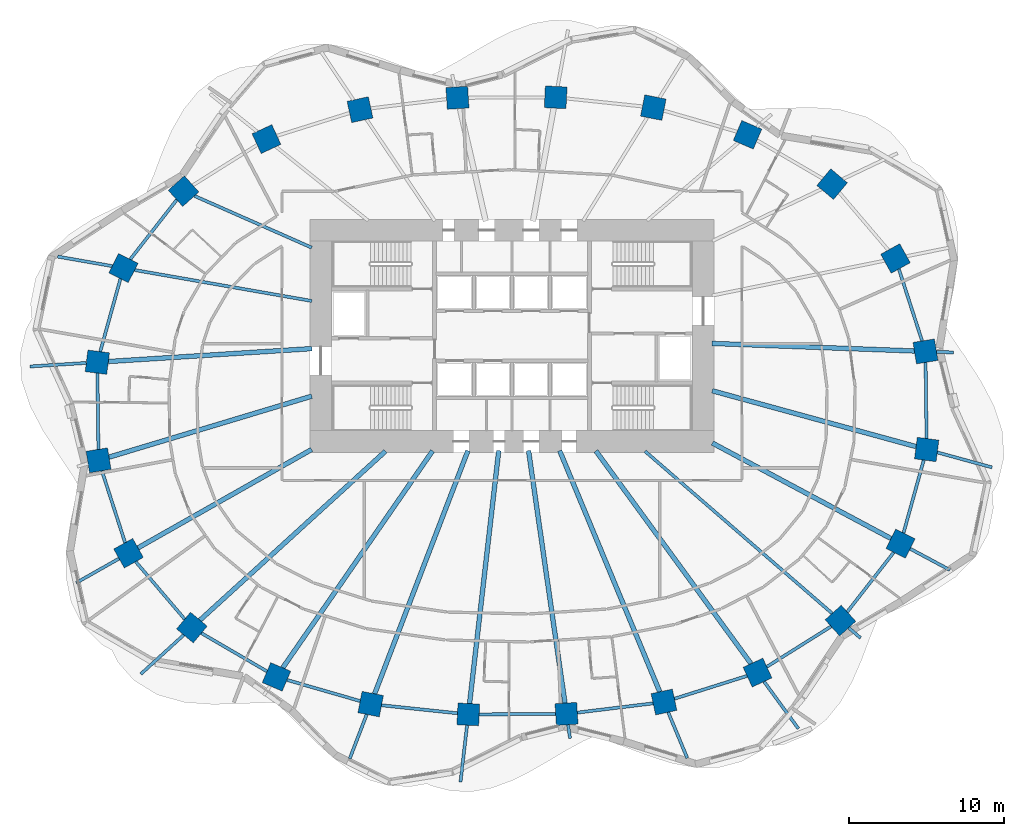
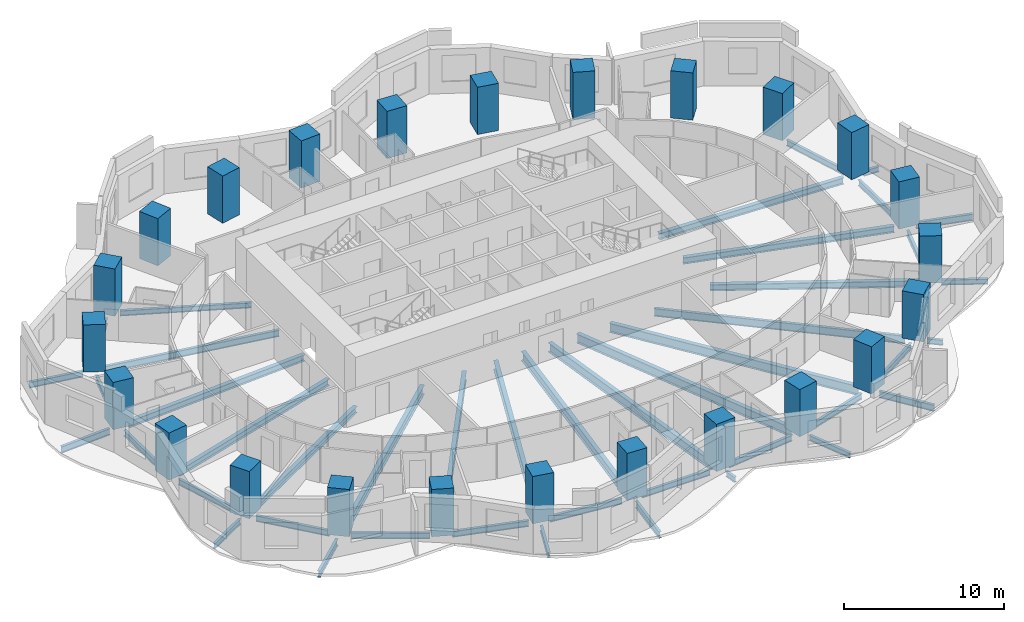
# One storey, part 1 of 11: 45 beams, 24 columns.
"""IFC4 building model written with IfcOpenShell, lengths in metres."""

from ifc_helpers import new_model, si_unit, direction, frame, origin, origin_2d, place, context, subcontext, project, spatial, rectangle, i_section, extrude, material, material_profile, profile_set, type_object, element, save


model = new_model("IFC4")

# Units and contexts
model_context = context("Model", 3, precision=1e-05, world=origin(), true_north=direction((0.0, 1.0)))
body_context = subcontext(model_context, "Body", "Model", "MODEL_VIEW")
ifc_project = project(units=[si_unit("LENGTHUNIT", "METRE"), si_unit("AREAUNIT", "SQUARE_METRE"), si_unit("VOLUMEUNIT", "CUBIC_METRE"), si_unit("PLANEANGLEUNIT", "RADIAN"), si_unit("MASSUNIT", "GRAM", prefix="KILO")], contexts=[model_context])

# Site, building, storey
site_placement = place(None, origin())
site = spatial("IfcSite", under=ifc_project, at=site_placement, CompositionType="ELEMENT")
building_placement = place(site_placement, origin())
building = spatial("IfcBuilding", under=site, at=building_placement, Name="Rubra Terraces Tower", CompositionType="ELEMENT")
storey_placement = place(building_placement, frame((0.0, 0.0, 48.300048828125)))
storey = spatial("IfcBuildingStorey", under=building, at=storey_placement, Name="L09", CompositionType="ELEMENT", Elevation=48.300048828125)

# Columns
ifc_material_1 = material(Name="Concrete C60", Category="concrete")
ifc_material_profile_1 = material_profile(ifc_material_1, rectangle(XDim=1.39990234375, YDim=1.39990234375, at=origin_2d()), Name="RC 1400x1400")
ifc_profile_set_1 = profile_set([ifc_material_profile_1], Name="Concrete C60")
column_type = type_object("IfcColumnType", Name="RING COLUMN RC 1400x1400 C60", PredefinedType="COLUMN", material=ifc_profile_set_1)
for number, where, z_axis, x_axis, name in (
    (1, (26.60498046875, 3.5029296875, 0.0), (0.0, 0.0, 1.0), (-0.161234051287, 0.986916197408, 0.0), "column-L09-ring-01"),
    (2, (24.676025390625, 9.48291015625, 0.0), (0.0, 0.0, 1.0), (-0.487226597714, 0.873275582208, 0.0), "column-L09-ring-02"),
    (3, (20.60009765625, 14.26611328125, 0.0), (0.0, 0.0, 1.0), (-0.767209547574, 0.641396531104, 0.0), "column-L09-ring-03"),
    (4, (15.156982421875, 17.44091796875, 0.0), (0.0, 0.0, 1.0), (-0.919293738002, 0.393572132232, 0.0), "column-L09-ring-04"),
    (5, (9.093994140625, 19.19189453125, 0.0), (0.0, 0.0, 1.0), (-0.981430410798, 0.191818530806, 0.0), "column-L09-ring-05"),
    (6, (2.81103515625, 19.85400390625, 0.0), (0.0, 0.0, 1.0), (-0.99874501614, 0.050083857035, 0.0), "column-L09-ring-06"),
    (7, (-3.509033203125, 19.823974609375, 0.0), (0.0, 0.0, 1.0), (-0.9980076013, -0.063093801177, 0.0), "column-L09-ring-07"),
    (8, (-9.780029296875, 19.05810546875, 0.0), (0.0, 0.0, 1.0), (-0.977386186482, -0.211462153764, 0.0), "column-L09-ring-08"),
    (9, (-15.799072265625, 17.1650390625, 0.0), (0.0, 0.0, 1.0), (-0.907952363445, -0.419073389413, 0.0), "column-L09-ring-09"),
    (10, (-21.135009765625, 13.81689453125, 0.0), (0.0, 0.0, 1.0), (-0.742675944539, -0.66965098477, 0.0), "column-L09-ring-10"),
    (11, (-25.0029296875, 8.865966796875, 0.0), (0.0, 0.0, 1.0), (-0.450098906028, -0.892978709036, 0.0), "column-L09-ring-11"),
    (12, (-26.68408203125, 2.80810546875, 0.0), (0.0, 0.0, 1.0), (-0.128444510405, -0.991716697322, 0.0), "column-L09-ring-12"),
    (13, (-26.60498046875, -3.5029296875, 0.0), (0.0, 0.0, 1.0), (0.161234051287, -0.986916197408, 0.0), "column-L09-ring-13"),
    (14, (-24.676025390625, -9.48291015625, 0.0), (0.0, 0.0, 1.0), (0.487226597714, -0.873275582208, 0.0), "column-L09-ring-14"),
    (15, (-20.60009765625, -14.26611328125, 0.0), (0.0, 0.0, 1.0), (0.767209547574, -0.641396531104, 0.0), "column-L09-ring-15"),
    (16, (-15.156982421875, -17.44091796875, 0.0), (0.0, 0.0, 1.0), (0.919293738002, -0.393572132232, 0.0), "column-L09-ring-16"),
    (17, (-9.093994140625, -19.19189453125, 0.0), (0.0, 0.0, 1.0), (0.981430410798, -0.191818530806, 0.0), "column-L09-ring-17"),
    (18, (-2.81103515625, -19.85400390625, 0.0), (0.0, 0.0, 1.0), (0.99874501614, -0.050083857035, 0.0), "column-L09-ring-18"),
    (19, (3.509033203125, -19.823974609375, 0.0), (0.0, 0.0, 1.0), (0.9980076013, 0.063093801177, 0.0), "column-L09-ring-19"),
    (20, (9.780029296875, -19.05810546875, 0.0), (0.0, 0.0, 1.0), (0.977386186482, 0.211462153764, 0.0), "column-L09-ring-20"),
    (21, (15.799072265625, -17.1650390625, 0.0), (0.0, 0.0, 1.0), (0.907952363445, 0.419073389413, 0.0), "column-L09-ring-21"),
    (22, (21.135009765625, -13.81689453125, 0.0), (0.0, 0.0, 1.0), (0.742675944539, 0.66965098477, 0.0), "column-L09-ring-22"),
    (23, (25.0029296875, -8.865966796875, 0.0), (0.0, 0.0, 1.0), (0.450098906028, 0.892978709036, 0.0), "column-L09-ring-23"),
    (24, (26.68408203125, -2.80810546875, 0.0), (0.0, 0.0, 1.0), (0.128444510405, 0.991716697322, 0.0), "column-L09-ring-24"),
):
    element("IfcColumn", number, at=place(storey_placement, frame(where, z_axis=z_axis, x_axis=x_axis)), inside=storey, type_object=column_type, Name=name, PredefinedType="COLUMN", context=body_context, shape_type="SweptSolid", body=[
        extrude(rectangle(XDim=1.39990234375, YDim=1.39990234375, at=origin_2d()), origin(), (0.0, 0.0, 1.0), 3.599853515625),
    ])

# Beams
ifc_material_2 = material(Name="Steel Q355B", Category="steel")
ifc_material_profile_2 = material_profile(ifc_material_2, i_section(OverallWidth=0.199951171875, OverallDepth=0.39990234375, WebThickness=0.008056640625, FlangeThickness=0.012939453125, at=origin_2d()), Name="HN 400x200x8x13")
ifc_profile_set_2 = profile_set([ifc_material_profile_2], Name="Steel Q355B")
beam_type_1 = type_object("IfcBeamType", Name="CANTILEVER BEAM HN 400x200x8x13", PredefinedType="BEAM", material=ifc_profile_set_2)
beam_1_placement = place(storey_placement, frame((-25.284912109375, -9.827880859375, -0.400146484375), z_axis=(-0.870051904973, -0.492960122781, 0.0), x_axis=(0.492960122781, -0.870051904973, 0.0)))
element("IfcBeam", 25, at=beam_1_placement, inside=storey, type_object=beam_type_1, Name="beam-L09-cant-14", PredefinedType="BEAM", context=body_context, shape_type="SweptSolid", body=[
    extrude(i_section(OverallWidth=0.199951171875, OverallDepth=0.39990234375, WebThickness=0.008056640625, FlangeThickness=0.012939453125, at=origin_2d()), origin(), (0.0, 0.0, 1.0), 3.171142578125),
])
beam_2_placement = place(storey_placement, frame((-9.34912109375, -19.85498046875, -0.400146484375), z_axis=(-0.358245016748, -0.933627606691, 0.0), x_axis=(0.933627606691, -0.358245016748, 0.0)))
element("IfcBeam", 26, at=beam_2_placement, inside=storey, type_object=beam_type_1, Name="beam-L09-cant-17", PredefinedType="BEAM", context=body_context, shape_type="SweptSolid", body=[
    extrude(i_section(OverallWidth=0.199951171875, OverallDepth=0.39990234375, WebThickness=0.008056640625, FlangeThickness=0.012939453125, at=origin_2d()), origin(), (0.0, 0.0, 1.0), 3.0537109375),
])
beam_3_placement = place(storey_placement, frame((10.052978515625, -19.715087890625, -0.400146484375), z_axis=(0.383471071133, -0.923552888363, 0.0), x_axis=(0.923552888363, 0.383471071133, 0.0)))
element("IfcBeam", 27, at=beam_3_placement, inside=storey, type_object=beam_type_1, Name="beam-L09-cant-20", PredefinedType="BEAM", context=body_context, shape_type="SweptSolid", body=[
    extrude(i_section(OverallWidth=0.199951171875, OverallDepth=0.39990234375, WebThickness=0.008056640625, FlangeThickness=0.012939453125, at=origin_2d()), origin(), (0.0, 0.0, 1.0), 3.197265625),
])
beam_4_placement = place(storey_placement, frame((25.62109375, -9.196044921875, -0.400146484375), z_axis=(0.881874281334, -0.471484625329, 0.0), x_axis=(0.471484625329, 0.881874281334, 0.0)))
element("IfcBeam", 28, at=beam_4_placement, inside=storey, type_object=beam_type_1, Name="beam-L09-cant-23", PredefinedType="BEAM", context=body_context, shape_type="SweptSolid", body=[
    extrude(i_section(OverallWidth=0.199951171875, OverallDepth=0.39990234375, WebThickness=0.008056640625, FlangeThickness=0.012939453125, at=origin_2d()), origin(), (0.0, 0.0, 1.0), 2.897216796875),
])
ifc_material_profile_3 = material_profile(ifc_material_2, i_section(OverallWidth=0.198974609375, OverallDepth=0.446044921875, WebThickness=0.008056640625, FlangeThickness=0.011962890625, at=origin_2d()), Name="HN 446x199x8x12")
ifc_profile_set_3 = profile_set([ifc_material_profile_3], Name="Steel Q355B")
beam_type_2 = type_object("IfcBeamType", Name="CANTILEVER BEAM HN 446x199x8x12", PredefinedType="BEAM", material=ifc_profile_set_3)
beam_5_placement = place(storey_placement, frame((-25.722900390625, 8.991943359375, -0.423095703125), z_axis=(-0.98512271321, 0.171852378274, 0.0), x_axis=(-0.171852378274, -0.98512271321, 0.0)))
element("IfcBeam", 29, at=beam_5_placement, inside=storey, type_object=beam_type_2, Name="beam-L09-cant-11", PredefinedType="BEAM", context=body_context, shape_type="SweptSolid", body=[
    extrude(i_section(OverallWidth=0.198974609375, OverallDepth=0.446044921875, WebThickness=0.008056640625, FlangeThickness=0.011962890625, at=origin_2d()), origin(), (0.0, 0.0, 1.0), 3.567138671875),
])
ifc_material_profile_4 = material_profile(ifc_material_2, i_section(OverallWidth=0.198974609375, OverallDepth=0.49609375, WebThickness=0.009033203125, FlangeThickness=0.013916015625, at=origin_2d()), Name="HN 496x199x9x14")
ifc_profile_set_4 = profile_set([ifc_material_profile_4], Name="Steel Q355B")
beam_type_3 = type_object("IfcBeamType", Name="CANTILEVER BEAM HN 496x199x9x14", PredefinedType="BEAM", material=ifc_profile_set_4)
beam_6_placement = place(storey_placement, frame((-27.39599609375, 2.762939453125, -0.447998046875), z_axis=(-0.997998430051, -0.063238703465, 0.0), x_axis=(0.063238703465, -0.997998430051, 0.0)))
element("IfcBeam", 30, at=beam_6_placement, inside=storey, type_object=beam_type_3, Name="beam-L09-cant-12", PredefinedType="BEAM", context=body_context, shape_type="SweptSolid", body=[
    extrude(i_section(OverallWidth=0.198974609375, OverallDepth=0.49609375, WebThickness=0.009033203125, FlangeThickness=0.013916015625, at=origin_2d()), origin(), (0.0, 0.0, 1.0), 3.621337890625),
])
beam_7_placement = place(storey_placement, frame((-21.1220703125, -14.741943359375, -0.447998046875), z_axis=(-0.739230300797, -0.673452717259, 0.0), x_axis=(0.673452717259, -0.739230300797, 0.0)))
element("IfcBeam", 31, at=beam_7_placement, inside=storey, type_object=beam_type_3, Name="beam-L09-cant-15", PredefinedType="BEAM", context=body_context, shape_type="SweptSolid", body=[
    extrude(i_section(OverallWidth=0.198974609375, OverallDepth=0.49609375, WebThickness=0.009033203125, FlangeThickness=0.013916015625, at=origin_2d()), origin(), (0.0, 0.0, 1.0), 3.737548828125),
])
beam_8_placement = place(storey_placement, frame((-2.89111328125, -20.551025390625, -0.447998046875), z_axis=(-0.114760227617, -0.99339322031, 0.0), x_axis=(0.99339322031, -0.114760227617, 0.0)))
element("IfcBeam", 32, at=beam_8_placement, inside=storey, type_object=beam_type_3, Name="beam-L09-cant-18", PredefinedType="BEAM", context=body_context, shape_type="SweptSolid", body=[
    extrude(i_section(OverallWidth=0.198974609375, OverallDepth=0.49609375, WebThickness=0.009033203125, FlangeThickness=0.013916015625, at=origin_2d()), origin(), (0.0, 0.0, 1.0), 3.676025390625),
])
beam_9_placement = place(storey_placement, frame((16.219970703125, -17.741943359375, -0.447998046875), z_axis=(0.589270437055, -0.807935858848, 0.0), x_axis=(0.807935858848, 0.589270437055, 0.0)))
element("IfcBeam", 33, at=beam_9_placement, inside=storey, type_object=beam_type_3, Name="beam-L09-cant-21", PredefinedType="BEAM", context=body_context, shape_type="SweptSolid", body=[
    extrude(i_section(OverallWidth=0.198974609375, OverallDepth=0.49609375, WebThickness=0.009033203125, FlangeThickness=0.013916015625, at=origin_2d()), origin(), (0.0, 0.0, 1.0), 3.750244140625),
])
beam_10_placement = place(storey_placement, frame((27.365966796875, -2.9951171875, -0.447998046875), z_axis=(0.964494708629, -0.264102171568, 0.0), x_axis=(0.264102171568, 0.964494708629, 0.0)))
element("IfcBeam", 34, at=beam_10_placement, inside=storey, type_object=beam_type_3, Name="beam-L09-cant-24", PredefinedType="BEAM", context=body_context, shape_type="SweptSolid", body=[
    extrude(i_section(OverallWidth=0.198974609375, OverallDepth=0.49609375, WebThickness=0.009033203125, FlangeThickness=0.013916015625, at=origin_2d()), origin(), (0.0, 0.0, 1.0), 3.649658203125),
])
ifc_material_profile_5 = material_profile(ifc_material_2, i_section(OverallWidth=0.199951171875, OverallDepth=0.39990234375, WebThickness=0.008056640625, FlangeThickness=0.012939453125, at=origin_2d()), Name="HN 400x200x8x13")
ifc_profile_set_5 = profile_set([ifc_material_profile_5], Name="Steel Q355B")
beam_type_4 = type_object("IfcBeamType", Name="CANTILEVER STUB HN 400x200x8x13", PredefinedType="BEAM", material=ifc_profile_set_5)
beam_11_placement = place(storey_placement, frame((27.319091796875, 3.47607421875, -0.400146484375), z_axis=(0.999310797049, -0.037120491668, 0.0), x_axis=(0.037120491668, 0.999310797049, 0.0)))
element("IfcBeam", 35, at=beam_11_placement, inside=storey, type_object=beam_type_4, Name="beam-L09-cant-01", PredefinedType="BEAM", context=body_context, shape_type="SweptSolid", body=[
    extrude(i_section(OverallWidth=0.199951171875, OverallDepth=0.39990234375, WebThickness=0.008056640625, FlangeThickness=0.012939453125, at=origin_2d()), origin(), (0.0, 0.0, 1.0), 1.07861328125),
])
beam_12_placement = place(storey_placement, frame((3.60888671875, -20.51904296875, -0.400146484375), z_axis=(0.143074340479, -0.989711944505, 0.0), x_axis=(0.989711944505, 0.143074340479, 0.0)))
element("IfcBeam", 36, at=beam_12_placement, inside=storey, type_object=beam_type_4, Name="beam-L09-cant-19", PredefinedType="BEAM", context=body_context, shape_type="SweptSolid", body=[
    extrude(i_section(OverallWidth=0.199951171875, OverallDepth=0.39990234375, WebThickness=0.008056640625, FlangeThickness=0.012939453125, at=origin_2d()), origin(), (0.0, 0.0, 1.0), 0.888916015625),
])
beam_13_placement = place(storey_placement, frame((21.66796875, -14.279052734375, -0.400146484375), z_axis=(0.755624925322, -0.65500455894, 0.0), x_axis=(0.65500455894, 0.755624925322, 0.0)))
element("IfcBeam", 37, at=beam_13_placement, inside=storey, type_object=beam_type_4, Name="beam-L09-cant-22", PredefinedType="BEAM", context=body_context, shape_type="SweptSolid", body=[
    extrude(i_section(OverallWidth=0.199951171875, OverallDepth=0.39990234375, WebThickness=0.008056640625, FlangeThickness=0.012939453125, at=origin_2d()), origin(), (0.0, 0.0, 1.0), 1.00439453125),
])
ifc_material_profile_6 = material_profile(ifc_material_2, i_section(OverallWidth=0.300048828125, OverallDepth=0.48193359375, WebThickness=0.010986328125, FlangeThickness=0.014892578125, at=origin_2d()), Name="HM 482x300x11x15")
ifc_profile_set_6 = profile_set([ifc_material_profile_6], Name="Steel Q355B")
beam_type_5 = type_object("IfcBeamType", Name="FLOOR BEAM HM 482x300x11x15", PredefinedType="BEAM", material=ifc_profile_set_6)
beam_14_placement = place(storey_placement, frame((25.89111328125, 3.530029296875, -0.441162109375), z_axis=(-0.999300088658, 0.037407657088, 0.0), x_axis=(-0.037407657088, -0.999300088658, 0.0)))
element("IfcBeam", 38, at=beam_14_placement, inside=storey, type_object=beam_type_5, Name="beam-L09-floor-01", PredefinedType="BEAM", context=body_context, shape_type="SweptSolid", body=[
    extrude(i_section(OverallWidth=0.300048828125, OverallDepth=0.48193359375, WebThickness=0.010986328125, FlangeThickness=0.014892578125, at=origin_2d()), origin(), (0.0, 0.0, 1.0), 13.020263671875),
])
beam_15_placement = place(storey_placement, frame((-25.971923828125, 2.85302734375, -0.441162109375), z_axis=(0.997996052936, 0.06327620662, 0.0), x_axis=(-0.06327620662, 0.997996052936, 0.0)))
element("IfcBeam", 39, at=beam_15_placement, inside=storey, type_object=beam_type_5, Name="beam-L09-floor-12", PredefinedType="BEAM", context=body_context, shape_type="SweptSolid", body=[
    extrude(i_section(OverallWidth=0.300048828125, OverallDepth=0.48193359375, WebThickness=0.010986328125, FlangeThickness=0.014892578125, at=origin_2d()), origin(), (0.0, 0.0, 1.0), 13.118408203125),
])
beam_16_placement = place(storey_placement, frame((-25.928955078125, -3.300048828125, -0.441162109375), z_axis=(0.957605991861, 0.288081176671, 0.0), x_axis=(-0.288081176671, 0.957605991861, 0.0)))
element("IfcBeam", 40, at=beam_16_placement, inside=storey, type_object=beam_type_5, Name="beam-L09-floor-13", PredefinedType="BEAM", context=body_context, shape_type="SweptSolid", body=[
    extrude(i_section(OverallWidth=0.300048828125, OverallDepth=0.48193359375, WebThickness=0.010986328125, FlangeThickness=0.014892578125, at=origin_2d()), origin(), (0.0, 0.0, 1.0), 13.621337890625),
])
beam_17_placement = place(storey_placement, frame((-24.06689453125, -9.137939453125, -0.441162109375), z_axis=(0.869992824144, 0.493064383157, 0.0), x_axis=(-0.493064383157, 0.869992824144, 0.0)))
element("IfcBeam", 41, at=beam_17_placement, inside=storey, type_object=beam_type_5, Name="beam-L09-floor-14", PredefinedType="BEAM", context=body_context, shape_type="SweptSolid", body=[
    extrude(i_section(OverallWidth=0.300048828125, OverallDepth=0.48193359375, WebThickness=0.010986328125, FlangeThickness=0.014892578125, at=origin_2d()), origin(), (0.0, 0.0, 1.0), 12.84033203125),
])
beam_18_placement = place(storey_placement, frame((24.385009765625, -8.535888671875, -0.441162109375), z_axis=(-0.881896613876, 0.471442851716, 0.0), x_axis=(-0.471442851716, -0.881896613876, 0.0)))
element("IfcBeam", 42, at=beam_18_placement, inside=storey, type_object=beam_type_5, Name="beam-L09-floor-23", PredefinedType="BEAM", context=body_context, shape_type="SweptSolid", body=[
    extrude(i_section(OverallWidth=0.300048828125, OverallDepth=0.48193359375, WebThickness=0.010986328125, FlangeThickness=0.014892578125, at=origin_2d()), origin(), (0.0, 0.0, 1.0), 13.02978515625),
])
beam_19_placement = place(storey_placement, frame((26.001953125, -2.62109375, -0.441162109375), z_axis=(-0.964494059772, 0.264104541167, 0.0), x_axis=(-0.264104541167, -0.964494059772, 0.0)))
element("IfcBeam", 43, at=beam_19_placement, inside=storey, type_object=beam_type_5, Name="beam-L09-floor-24", PredefinedType="BEAM", context=body_context, shape_type="SweptSolid", body=[
    extrude(i_section(OverallWidth=0.300048828125, OverallDepth=0.48193359375, WebThickness=0.010986328125, FlangeThickness=0.014892578125, at=origin_2d()), origin(), (0.0, 0.0, 1.0), 13.600830078125),
])
ifc_material_profile_7 = material_profile(ifc_material_2, i_section(OverallWidth=0.199951171875, OverallDepth=0.39990234375, WebThickness=0.008056640625, FlangeThickness=0.012939453125, at=origin_2d()), Name="HN 400x200x8x13")
ifc_profile_set_7 = profile_set([ifc_material_profile_7], Name="Steel Q355B")
beam_type_6 = type_object("IfcBeamType", Name="FLOOR BEAM HN 400x200x8x13", PredefinedType="BEAM", material=ifc_profile_set_7)
beam_20_placement = place(storey_placement, frame((-20.43310546875, 13.508056640625, -0.400146484375), z_axis=(0.914994662209, -0.4034659442, 0.0), x_axis=(0.4034659442, 0.914994662209, 0.0)))
element("IfcBeam", 44, at=beam_20_placement, inside=storey, type_object=beam_type_6, Name="beam-L09-floor-10", PredefinedType="BEAM", context=body_context, shape_type="SweptSolid", body=[
    extrude(i_section(OverallWidth=0.199951171875, OverallDepth=0.39990234375, WebThickness=0.008056640625, FlangeThickness=0.012939453125, at=origin_2d()), origin(), (0.0, 0.0, 1.0), 8.243896484375),
])
ifc_material_profile_8 = material_profile(ifc_material_2, i_section(OverallWidth=0.198974609375, OverallDepth=0.49609375, WebThickness=0.009033203125, FlangeThickness=0.013916015625, at=origin_2d()), Name="HN 496x199x9x14")
ifc_profile_set_8 = profile_set([ifc_material_profile_8], Name="Steel Q355B")
beam_type_7 = type_object("IfcBeamType", Name="FLOOR BEAM HN 496x199x9x14", PredefinedType="BEAM", material=ifc_profile_set_8)
beam_21_placement = place(storey_placement, frame((-24.282958984375, 8.739990234375, -0.447998046875), z_axis=(0.985091834527, -0.172029292701, 0.0), x_axis=(0.172029292701, 0.985091834527, 0.0)))
element("IfcBeam", 45, at=beam_21_placement, inside=storey, type_object=beam_type_7, Name="beam-L09-floor-11", PredefinedType="BEAM", context=body_context, shape_type="SweptSolid", body=[
    extrude(i_section(OverallWidth=0.198974609375, OverallDepth=0.49609375, WebThickness=0.009033203125, FlangeThickness=0.013916015625, at=origin_2d()), origin(), (0.0, 0.0, 1.0), 11.573486328125),
])
ifc_material_profile_9 = material_profile(ifc_material_2, i_section(OverallWidth=0.198974609375, OverallDepth=0.595947265625, WebThickness=0.010009765625, FlangeThickness=0.014892578125, at=origin_2d()), Name="HN 596x199x10x15")
ifc_profile_set_9 = profile_set([ifc_material_profile_9], Name="Steel Q355B")
beam_type_8 = type_object("IfcBeamType", Name="FLOOR BEAM HN 596x199x10x15", PredefinedType="BEAM", material=ifc_profile_set_9)
beam_22_placement = place(storey_placement, frame((20.60205078125, -13.35498046875, -0.498046875), z_axis=(-0.755682003913, 0.654938706263, 0.0), x_axis=(-0.654938706263, -0.755682003913, 0.0)))
element("IfcBeam", 46, at=beam_22_placement, inside=storey, type_object=beam_type_8, Name="beam-L09-floor-22", PredefinedType="BEAM", context=body_context, shape_type="SweptSolid", body=[
    extrude(i_section(OverallWidth=0.198974609375, OverallDepth=0.595947265625, WebThickness=0.010009765625, FlangeThickness=0.014892578125, at=origin_2d()), origin(), (0.0, 0.0, 1.0), 15.931396484375),
])
ifc_material_profile_10 = material_profile(ifc_material_2, i_section(OverallWidth=0.300048828125, OverallDepth=0.699951171875, WebThickness=0.012939453125, FlangeThickness=0.02392578125, at=origin_2d()), Name="HN 700x300x13x24")
ifc_profile_set_10 = profile_set([ifc_material_profile_10], Name="Steel Q355B")
beam_type_9 = type_object("IfcBeamType", Name="FLOOR BEAM HN 700x300x13x24", PredefinedType="BEAM", material=ifc_profile_set_10)
beam_23_placement = place(storey_placement, frame((-20.077880859375, -13.7900390625, -0.550048828125), z_axis=(0.739256734846, 0.673423700195, 0.0), x_axis=(-0.673423700195, 0.739256734846, 0.0)))
element("IfcBeam", 47, at=beam_23_placement, inside=storey, type_object=beam_type_9, Name="beam-L09-floor-15", PredefinedType="BEAM", context=body_context, shape_type="SweptSolid", body=[
    extrude(i_section(OverallWidth=0.300048828125, OverallDepth=0.699951171875, WebThickness=0.012939453125, FlangeThickness=0.02392578125, at=origin_2d()), origin(), (0.0, 0.0, 1.0), 16.14306640625),
])
beam_24_placement = place(storey_placement, frame((-14.7509765625, -16.85302734375, -0.550048828125), z_axis=(0.568362941886, 0.822777956858, 0.0), x_axis=(-0.822777956858, 0.568362941886, 0.0)))
element("IfcBeam", 48, at=beam_24_placement, inside=storey, type_object=beam_type_9, Name="beam-L09-floor-16", PredefinedType="BEAM", context=body_context, shape_type="SweptSolid", body=[
    extrude(i_section(OverallWidth=0.300048828125, OverallDepth=0.699951171875, WebThickness=0.012939453125, FlangeThickness=0.02392578125, at=origin_2d()), origin(), (0.0, 0.0, 1.0), 16.957275390625),
])
beam_25_placement = place(storey_placement, frame((-8.839111328125, -18.529052734375, -0.550048828125), z_axis=(0.358321803184, 0.933598139117, 0.0), x_axis=(-0.933598139117, 0.358321803184, 0.0)))
element("IfcBeam", 49, at=beam_25_placement, inside=storey, type_object=beam_type_9, Name="beam-L09-floor-17", PredefinedType="BEAM", context=body_context, shape_type="SweptSolid", body=[
    extrude(i_section(OverallWidth=0.300048828125, OverallDepth=0.699951171875, WebThickness=0.012939453125, FlangeThickness=0.02392578125, at=origin_2d()), origin(), (0.0, 0.0, 1.0), 16.753662109375),
])
beam_26_placement = place(storey_placement, frame((-2.73095703125, -19.156982421875, -0.550048828125), z_axis=(0.114679535872, 0.993402538779, 0.0), x_axis=(-0.993402538779, 0.114679535872, 0.0)))
element("IfcBeam", 50, at=beam_26_placement, inside=storey, type_object=beam_type_9, Name="beam-L09-floor-18", PredefinedType="BEAM", context=body_context, shape_type="SweptSolid", body=[
    extrude(i_section(OverallWidth=0.300048828125, OverallDepth=0.699951171875, WebThickness=0.012939453125, FlangeThickness=0.02392578125, at=origin_2d()), origin(), (0.0, 0.0, 1.0), 16.384033203125),
])
beam_27_placement = place(storey_placement, frame((3.408935546875, -19.12890625, -0.550048828125), z_axis=(-0.142787075711, 0.9897534294, 0.0), x_axis=(-0.9897534294, -0.142787075711, 0.0)))
element("IfcBeam", 51, at=beam_27_placement, inside=storey, type_object=beam_type_9, Name="beam-L09-floor-19", PredefinedType="BEAM", context=body_context, shape_type="SweptSolid", body=[
    extrude(i_section(OverallWidth=0.300048828125, OverallDepth=0.699951171875, WebThickness=0.012939453125, FlangeThickness=0.02392578125, at=origin_2d()), origin(), (0.0, 0.0, 1.0), 16.416015625),
])
beam_28_placement = place(storey_placement, frame((9.507080078125, -18.40087890625, -0.550048828125), z_axis=(-0.383379543301, 0.923590886582, 0.0), x_axis=(-0.923590886582, -0.383379543301, 0.0)))
element("IfcBeam", 52, at=beam_28_placement, inside=storey, type_object=beam_type_9, Name="beam-L09-floor-20", PredefinedType="BEAM", context=body_context, shape_type="SweptSolid", body=[
    extrude(i_section(OverallWidth=0.300048828125, OverallDepth=0.699951171875, WebThickness=0.012939453125, FlangeThickness=0.02392578125, at=origin_2d()), origin(), (0.0, 0.0, 1.0), 16.795166015625),
])
beam_29_placement = place(storey_placement, frame((15.3779296875, -16.587890625, -0.550048828125), z_axis=(-0.58919117553, 0.807993662523, 0.0), x_axis=(-0.807993662523, -0.58919117553, 0.0)))
element("IfcBeam", 53, at=beam_29_placement, inside=storey, type_object=beam_type_9, Name="beam-L09-floor-21", PredefinedType="BEAM", context=body_context, shape_type="SweptSolid", body=[
    extrude(i_section(OverallWidth=0.300048828125, OverallDepth=0.699951171875, WebThickness=0.012939453125, FlangeThickness=0.02392578125, at=origin_2d()), origin(), (0.0, 0.0, 1.0), 16.936767578125),
])
ifc_material_profile_11 = material_profile(ifc_material_2, i_section(OverallWidth=0.198974609375, OverallDepth=0.446044921875, WebThickness=0.008056640625, FlangeThickness=0.011962890625, at=origin_2d()), Name="HN 446x199x8x12")
ifc_profile_set_11 = profile_set([ifc_material_profile_11], Name="Steel Q355B")
beam_type_10 = type_object("IfcBeamType", Name="SPANDREL BEAM HN 446x199x8x12", PredefinedType="SPANDREL", material=ifc_profile_set_11)
beam_30_placement = place(storey_placement, frame((26.387939453125, 4.177001953125, -0.423095703125), z_axis=(-0.30706880261, 0.951687317591, 0.0), x_axis=(-0.951687317591, -0.30706880261, 0.0)))
element("IfcBeam", 54, at=beam_30_placement, inside=storey, type_object=beam_type_10, Name="beam-L09-spandrel-01", PredefinedType="SPANDREL", context=body_context, shape_type="SweptSolid", body=[
    extrude(i_section(OverallWidth=0.198974609375, OverallDepth=0.446044921875, WebThickness=0.008056640625, FlangeThickness=0.011962890625, at=origin_2d()), origin(), (0.0, 0.0, 1.0), 4.86181640625),
])
beam_31_placement = place(storey_placement, frame((-21.572998046875, 13.257080078125, -0.423095703125), z_axis=(-0.615577734286, -0.788076172112, 0.0), x_axis=(0.788076172112, -0.615577734286, 0.0)))
element("IfcBeam", 55, at=beam_31_placement, inside=storey, type_object=beam_type_10, Name="beam-L09-spandrel-10", PredefinedType="SPANDREL", context=body_context, shape_type="SweptSolid", body=[
    extrude(i_section(OverallWidth=0.198974609375, OverallDepth=0.446044921875, WebThickness=0.008056640625, FlangeThickness=0.011962890625, at=origin_2d()), origin(), (0.0, 0.0, 1.0), 4.85888671875),
])
beam_32_placement = place(storey_placement, frame((-25.194091796875, 8.177978515625, -0.423095703125), z_axis=(-0.267364386726, -0.96359549849, 0.0), x_axis=(0.96359549849, -0.267364386726, 0.0)))
element("IfcBeam", 56, at=beam_32_placement, inside=storey, type_object=beam_type_10, Name="beam-L09-spandrel-11", PredefinedType="SPANDREL", context=body_context, shape_type="SweptSolid", body=[
    extrude(i_section(OverallWidth=0.198974609375, OverallDepth=0.446044921875, WebThickness=0.008056640625, FlangeThickness=0.011962890625, at=origin_2d()), origin(), (0.0, 0.0, 1.0), 4.8662109375),
])
beam_33_placement = place(storey_placement, frame((-26.675048828125, 2.10107421875, -0.423095703125), z_axis=(0.012465372298, -0.999922304228, 0.0), x_axis=(0.999922304228, 0.012465372298, 0.0)))
element("IfcBeam", 57, at=beam_33_placement, inside=storey, type_object=beam_type_10, Name="beam-L09-spandrel-12", PredefinedType="SPANDREL", context=body_context, shape_type="SweptSolid", body=[
    extrude(i_section(OverallWidth=0.198974609375, OverallDepth=0.446044921875, WebThickness=0.008056640625, FlangeThickness=0.011962890625, at=origin_2d()), origin(), (0.0, 0.0, 1.0), 4.896484375),
])
beam_34_placement = place(storey_placement, frame((-26.387939453125, -4.177001953125, -0.423095703125), z_axis=(0.30706880261, -0.951687317591, 0.0), x_axis=(0.951687317591, 0.30706880261, 0.0)))
element("IfcBeam", 58, at=beam_34_placement, inside=storey, type_object=beam_type_10, Name="beam-L09-spandrel-13", PredefinedType="SPANDREL", context=body_context, shape_type="SweptSolid", body=[
    extrude(i_section(OverallWidth=0.198974609375, OverallDepth=0.446044921875, WebThickness=0.008056640625, FlangeThickness=0.011962890625, at=origin_2d()), origin(), (0.0, 0.0, 1.0), 4.86181640625),
])
beam_35_placement = place(storey_placement, frame((-24.212890625, -10.02587890625, -0.423095703125), z_axis=(0.648447050824, -0.761259760054, 0.0), x_axis=(0.761259760054, 0.648447050824, 0.0)))
element("IfcBeam", 59, at=beam_35_placement, inside=storey, type_object=beam_type_10, Name="beam-L09-spandrel-14", PredefinedType="SPANDREL", context=body_context, shape_type="SweptSolid", body=[
    extrude(i_section(OverallWidth=0.198974609375, OverallDepth=0.446044921875, WebThickness=0.008056640625, FlangeThickness=0.011962890625, at=origin_2d()), origin(), (0.0, 0.0, 1.0), 4.860595703125),
])
beam_36_placement = place(storey_placement, frame((-19.987060546875, -14.6240234375, -0.423095703125), z_axis=(0.863806081452, -0.503824427402, 0.0), x_axis=(0.503824427402, 0.863806081452, 0.0)))
element("IfcBeam", 60, at=beam_36_placement, inside=storey, type_object=beam_type_10, Name="beam-L09-spandrel-15", PredefinedType="SPANDREL", context=body_context, shape_type="SweptSolid", body=[
    extrude(i_section(OverallWidth=0.198974609375, OverallDepth=0.446044921875, WebThickness=0.008056640625, FlangeThickness=0.011962890625, at=origin_2d()), origin(), (0.0, 0.0, 1.0), 4.886474609375),
])
beam_37_placement = place(storey_placement, frame((-14.47900390625, -17.636962890625, -0.423095703125), z_axis=(0.960743980202, -0.277436487337, 0.0), x_axis=(0.277436487337, 0.960743980202, 0.0)))
element("IfcBeam", 61, at=beam_37_placement, inside=storey, type_object=beam_type_10, Name="beam-L09-spandrel-16", PredefinedType="SPANDREL", context=body_context, shape_type="SweptSolid", body=[
    extrude(i_section(OverallWidth=0.198974609375, OverallDepth=0.446044921875, WebThickness=0.008056640625, FlangeThickness=0.011962890625, at=origin_2d()), origin(), (0.0, 0.0, 1.0), 4.90234375),
])
beam_38_placement = place(storey_placement, frame((-8.39501953125, -19.26611328125, -0.423095703125), z_axis=(0.994495375694, -0.104780473964, 0.0), x_axis=(0.104780473964, 0.994495375694, 0.0)))
element("IfcBeam", 62, at=beam_38_placement, inside=storey, type_object=beam_type_10, Name="beam-L09-spandrel-17", PredefinedType="SPANDREL", context=body_context, shape_type="SweptSolid", body=[
    extrude(i_section(OverallWidth=0.198974609375, OverallDepth=0.446044921875, WebThickness=0.008056640625, FlangeThickness=0.011962890625, at=origin_2d()), origin(), (0.0, 0.0, 1.0), 4.9140625),
])
beam_39_placement = place(storey_placement, frame((-2.110107421875, -19.85107421875, -0.423095703125), z_axis=(0.999987924698, 0.004914311469, 0.0), x_axis=(-0.004914311469, 0.999987924698, 0.0)))
element("IfcBeam", 63, at=beam_39_placement, inside=storey, type_object=beam_type_10, Name="beam-L09-spandrel-18", PredefinedType="SPANDREL", context=body_context, shape_type="SweptSolid", body=[
    extrude(i_section(OverallWidth=0.198974609375, OverallDepth=0.446044921875, WebThickness=0.008056640625, FlangeThickness=0.011962890625, at=origin_2d()), origin(), (0.0, 0.0, 1.0), 4.918212890625),
])
beam_40_placement = place(storey_placement, frame((4.205078125, -19.739013671875, -0.423095703125), z_axis=(0.992616576014, 0.12129440639, 0.0), x_axis=(-0.12129440639, 0.992616576014, 0.0)))
element("IfcBeam", 64, at=beam_40_placement, inside=storey, type_object=beam_type_10, Name="beam-L09-spandrel-19", PredefinedType="SPANDREL", context=body_context, shape_type="SweptSolid", body=[
    extrude(i_section(OverallWidth=0.198974609375, OverallDepth=0.446044921875, WebThickness=0.008056640625, FlangeThickness=0.011962890625, at=origin_2d()), origin(), (0.0, 0.0, 1.0), 4.913330078125),
])
beam_41_placement = place(storey_placement, frame((10.450927734375, -18.846923828125, -0.423095703125), z_axis=(0.953954624663, 0.299950952796, 0.0), x_axis=(-0.299950952796, 0.953954624663, 0.0)))
element("IfcBeam", 65, at=beam_41_placement, inside=storey, type_object=beam_type_10, Name="beam-L09-spandrel-20", PredefinedType="SPANDREL", context=body_context, shape_type="SweptSolid", body=[
    extrude(i_section(OverallWidth=0.198974609375, OverallDepth=0.446044921875, WebThickness=0.008056640625, FlangeThickness=0.011962890625, at=origin_2d()), origin(), (0.0, 0.0, 1.0), 4.900634765625),
])
beam_42_placement = place(storey_placement, frame((16.39697265625, -16.7900390625, -0.423095703125), z_axis=(0.847078460197, 0.531467856291, 0.0), x_axis=(-0.531467856291, 0.847078460197, 0.0)))
element("IfcBeam", 66, at=beam_42_placement, inside=storey, type_object=beam_type_10, Name="beam-L09-spandrel-21", PredefinedType="SPANDREL", context=body_context, shape_type="SweptSolid", body=[
    extrude(i_section(OverallWidth=0.198974609375, OverallDepth=0.446044921875, WebThickness=0.008056640625, FlangeThickness=0.011962890625, at=origin_2d()), origin(), (0.0, 0.0, 1.0), 4.882568359375),
])
beam_43_placement = place(storey_placement, frame((21.572998046875, -13.257080078125, -0.423095703125), z_axis=(0.615577734286, 0.788076172112, 0.0), x_axis=(-0.788076172112, 0.615577734286, 0.0)))
element("IfcBeam", 67, at=beam_43_placement, inside=storey, type_object=beam_type_10, Name="beam-L09-spandrel-22", PredefinedType="SPANDREL", context=body_context, shape_type="SweptSolid", body=[
    extrude(i_section(OverallWidth=0.198974609375, OverallDepth=0.446044921875, WebThickness=0.008056640625, FlangeThickness=0.011962890625, at=origin_2d()), origin(), (0.0, 0.0, 1.0), 4.85888671875),
])
beam_44_placement = place(storey_placement, frame((25.194091796875, -8.177978515625, -0.423095703125), z_axis=(0.267364386726, 0.96359549849, 0.0), x_axis=(-0.96359549849, 0.267364386726, 0.0)))
element("IfcBeam", 68, at=beam_44_placement, inside=storey, type_object=beam_type_10, Name="beam-L09-spandrel-23", PredefinedType="SPANDREL", context=body_context, shape_type="SweptSolid", body=[
    extrude(i_section(OverallWidth=0.198974609375, OverallDepth=0.446044921875, WebThickness=0.008056640625, FlangeThickness=0.011962890625, at=origin_2d()), origin(), (0.0, 0.0, 1.0), 4.8662109375),
])
beam_45_placement = place(storey_placement, frame((26.675048828125, -2.10107421875, -0.423095703125), z_axis=(-0.012465372298, 0.999922304228, 0.0), x_axis=(-0.999922304228, -0.012465372298, 0.0)))
element("IfcBeam", 69, at=beam_45_placement, inside=storey, type_object=beam_type_10, Name="beam-L09-spandrel-24", PredefinedType="SPANDREL", context=body_context, shape_type="SweptSolid", body=[
    extrude(i_section(OverallWidth=0.198974609375, OverallDepth=0.446044921875, WebThickness=0.008056640625, FlangeThickness=0.011962890625, at=origin_2d()), origin(), (0.0, 0.0, 1.0), 4.896484375),
])

save(model, "model.ifc")
